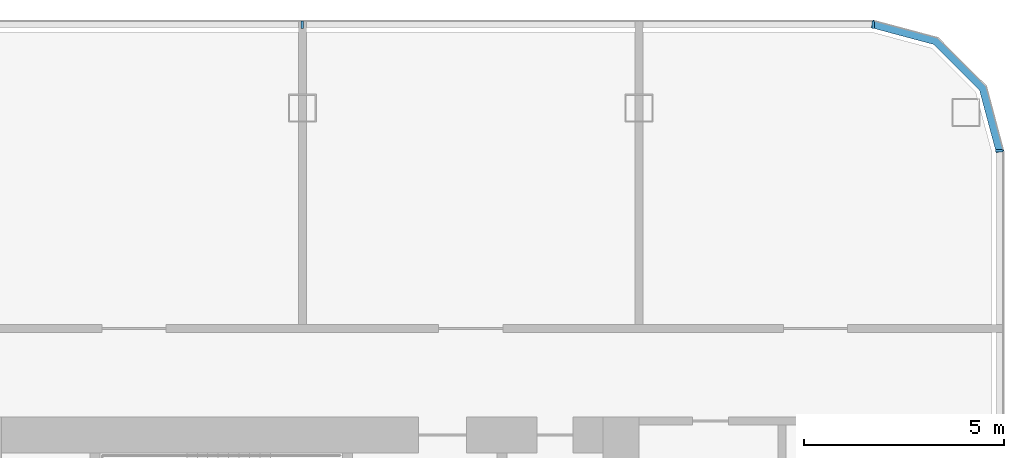
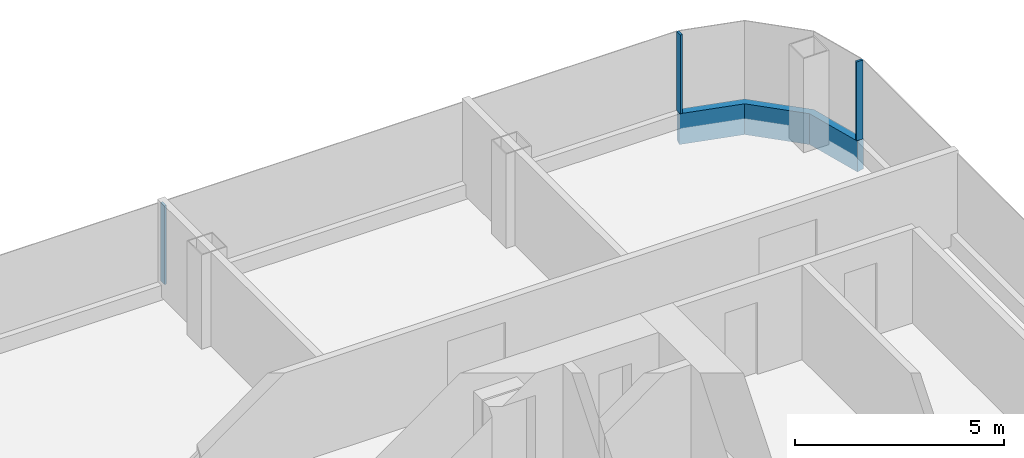
# One storey, part 10 of 26: 4 members, 3 elements without a shape of their own.
"""IFC4 building model written with IfcOpenShell, lengths in metres."""

import ifcopenshell
import ifcopenshell.guid

model = None  # the IFC model being written
_history = None  # IfcOwnerHistory: only IFC2X3 demands one
_inside = {}  # id of a spatial element -> (the spatial element, [elements in it])
_under = {}  # id of a project, library or spatial element -> (it, [spatial elements below it])
_declared = {}  # id of a project -> (the project, [libraries it declares])
_typed = {}  # id of a type object -> (the type object, [elements of that type])
_made_of = {}  # id of a material, layer set ... -> (it, [elements and type objects made of it])


def new_model(schema):
    """Start an empty IFC model of exactly this schema.

    Asked for "IFC4X3", IfcOpenShell would pick the latest addendum, in which some entities
    have other attributes; the version numbers below select the first issue.
    IFC2X3 requires an IfcOwnerHistory on every rooted entity: one is made here for all.
    """
    global model, _history
    if schema == "IFC4X3":
        model = ifcopenshell.file(schema_version=(4, 3, 0, 0))
    else:
        model = ifcopenshell.file(schema=schema)
    _inside.clear()
    _under.clear()
    _declared.clear()
    _typed.clear()
    _made_of.clear()
    _history = None
    if model.schema == "IFC2X3":
        org = make("IfcOrganization", Name="unknown")
        user = make(
            "IfcPersonAndOrganization",
            ThePerson=make("IfcPerson", FamilyName="unknown"),
            TheOrganization=org,
        )
        app = make(
            "IfcApplication",
            ApplicationDeveloper=org,
            Version="unknown",
            ApplicationFullName="unknown",
            ApplicationIdentifier="unknown",
        )
        _history = make(
            "IfcOwnerHistory",
            OwningUser=user,
            OwningApplication=app,
            ChangeAction="ADDED",
            CreationDate=0,
        )
    return model


def make(cls, **values):
    """One entity of the class cls with the attributes given. An attribute that is None is left unset."""
    return model.create_entity(
        cls, **{name: value for name, value in values.items() if value is not None}
    )


def rooted(cls, **values):
    """An entity with a GlobalId (a new one), such as an element, a storey or a relation."""
    return make(cls, GlobalId=ifcopenshell.guid.new(), OwnerHistory=_history, **values)


def si_unit(unit_type, name, prefix=None):
    """IfcSIUnit, for example si_unit("LENGTHUNIT", "METRE", prefix="MILLI")."""
    return make("IfcSIUnit", UnitType=unit_type, Prefix=prefix, Name=name)


def assignment(units):
    """IfcUnitAssignment: the units of a project."""
    return None if units is None else make("IfcUnitAssignment", Units=units)


def point(xyz):
    """IfcCartesianPoint."""
    return None if xyz is None else make("IfcCartesianPoint", Coordinates=xyz)


def direction(xyz):
    """IfcDirection."""
    return None if xyz is None else make("IfcDirection", DirectionRatios=xyz)


def frame(location, z_axis=None, x_axis=None):
    """IfcAxis2Placement3D, a coordinate frame: its origin and axes. An axis left out is left unset."""
    return make(
        "IfcAxis2Placement3D",
        Location=point(location),
        Axis=direction(z_axis),
        RefDirection=direction(x_axis),
    )


def frame_2d(location, x_axis=None):
    """IfcAxis2Placement2D, a coordinate frame in the plane: its origin and x axis."""
    return make(
        "IfcAxis2Placement2D", Location=point(location), RefDirection=direction(x_axis)
    )


def origin():
    """The frame at (0, 0, 0) with its axes left unset."""
    return frame((0.0, 0.0, 0.0))


def origin_2d():
    """The frame at (0, 0) in the plane with its x axis left unset."""
    return frame_2d((0.0, 0.0))


def place(relative_to, where):
    """IfcLocalPlacement: puts the frame where relative to a parent placement (None: the world)."""
    return make(
        "IfcLocalPlacement", PlacementRelTo=relative_to, RelativePlacement=where
    )


def context(
    kind, dimensions, precision=None, world=None, true_north=None, identifier=None
):
    """IfcGeometricRepresentationContext, for example the 3D "Model" context."""
    return make(
        "IfcGeometricRepresentationContext",
        ContextIdentifier=identifier,
        ContextType=kind,
        CoordinateSpaceDimension=dimensions,
        Precision=precision,
        WorldCoordinateSystem=world,
        TrueNorth=true_north,
    )


def subcontext(parent, identifier, kind, view, scale=None):
    """IfcGeometricRepresentationSubContext, for example "Body" below "Model"."""
    return make(
        "IfcGeometricRepresentationSubContext",
        ContextIdentifier=identifier,
        ContextType=kind,
        ParentContext=parent,
        TargetScale=scale,
        TargetView=view,
    )


def project(units=None, contexts=None):
    """IfcProject with its units and contexts."""
    return rooted(
        "IfcProject",
        Name="project",
        RepresentationContexts=contexts,
        UnitsInContext=assignment(units),
    )


def spatial(cls, under=None, at=None, **own):
    """A site, building, storey or space (cls), placed at a placement, below another one or the project."""
    s = rooted(cls, ObjectPlacement=at, **own)
    if under is not None:
        _under.setdefault(under.id(), (under, []))[1].append(s)
    return s


def polyline(points):
    """IfcPolyline through the points."""
    return make("IfcPolyline", Points=[point(p) for p in points])


def profile(cls, at=None, kind="AREA", **sizes):
    """A parametric profile (cls). Its sizes go by their IFC names, for example OverallWidth=200.0."""
    return make(cls, ProfileType=kind, Position=at, **sizes)


def rectangle(**sizes):
    """IfcRectangleProfileDef."""
    return profile("IfcRectangleProfileDef", **sizes)


def outline(outer, holes=None, kind="AREA"):
    """IfcArbitraryClosedProfileDef: a profile drawn as a closed curve; with holes, ...WithVoids."""
    if holes is None:
        return make("IfcArbitraryClosedProfileDef", ProfileType=kind, OuterCurve=outer)
    return make(
        "IfcArbitraryProfileDefWithVoids",
        ProfileType=kind,
        OuterCurve=outer,
        InnerCurves=holes,
    )


def extrude(swept, where, along, depth):
    """IfcExtrudedAreaSolid: the profile swept, set in the frame where, extruded along a direction by depth."""
    return make(
        "IfcExtrudedAreaSolid",
        SweptArea=swept,
        Position=where,
        ExtrudedDirection=direction(along),
        Depth=depth,
    )


def shape(context_of_items, identifier, shape_type, items):
    """IfcShapeRepresentation: the items that make up one representation, for example the "Body"."""
    return make(
        "IfcShapeRepresentation",
        ContextOfItems=context_of_items,
        RepresentationIdentifier=identifier,
        RepresentationType=shape_type,
        Items=items,
    )


def material(Name=None, Category=None):
    """IfcMaterial."""
    return make("IfcMaterial", Name=Name, Category=Category)


def layer(
    of_material, thickness, ventilated=None, Name=None, Category=None, Priority=None
):
    """IfcMaterialLayer: one layer of a wall or slab, of a material (None: an air gap)."""
    return make(
        "IfcMaterialLayer",
        Material=of_material,
        LayerThickness=thickness,
        IsVentilated=ventilated,
        Name=Name,
        Category=Category,
        Priority=Priority,
    )


def layer_set(layers, Name=None):
    """IfcMaterialLayerSet."""
    return make("IfcMaterialLayerSet", MaterialLayers=layers, LayerSetName=Name)


def material_profile(
    of_material, cross_section, Name=None, Category=None, Priority=None
):
    """IfcMaterialProfile: a cross section and its material."""
    return make(
        "IfcMaterialProfile",
        Name=Name,
        Material=of_material,
        Profile=cross_section,
        Priority=Priority,
        Category=Category,
    )


def profile_set(profiles, Name=None, composite=None):
    """IfcMaterialProfileSet."""
    return make(
        "IfcMaterialProfileSet",
        Name=Name,
        MaterialProfiles=profiles,
        CompositeProfile=composite,
    )


def made_of(thing, what):
    """Note that an element or type object is made of a material, layer set ...; save() writes the relation."""
    if what is not None:
        _made_of.setdefault(what.id(), (what, []))[1].append(thing)
    return thing


def type_object(cls, material=None, **own):
    """A type object (cls), such as IfcWallType, which elements share."""
    return made_of(rooted(cls, **own), material)


def element(
    cls,
    number,
    at=None,
    inside=None,
    cuts=None,
    type_object=None,
    material=None,
    context=None,
    identifier="Body",
    shape_type=None,
    held_by="IfcProductDefinitionShape",
    body=None,
    shapes=None,
    **own,
):
    """One element of the class cls, such as IfcWall. Its Tag is "e" and its number.

    at: its placement. inside: the storey or other place that contains it. cuts: it is an
    opening in that element (IfcRelVoidsElement). A single representation is given by context,
    identifier, shape_type and body (its items); several are given by shapes. held_by: the class
    of the entity that holds the representations. save() writes the other relations.
    """
    e = rooted(cls, Tag="e%d" % number, ObjectPlacement=at, **own)
    if body is not None:
        shapes = [shape(context, identifier, shape_type, body)]
    if shapes is not None:
        e.Representation = make(held_by, Representations=shapes)
    if inside is not None:
        _inside.setdefault(inside.id(), (inside, []))[1].append(e)
    if cuts is not None:
        rooted(
            "IfcRelVoidsElement", RelatingBuildingElement=cuts, RelatedOpeningElement=e
        )
    if type_object is not None:
        _typed.setdefault(type_object.id(), (type_object, []))[1].append(e)
    return made_of(e, material)


def aggregate(whole, parts):
    """IfcRelAggregates: a whole, such as a stair, and the parts it consists of."""
    return rooted("IfcRelAggregates", RelatingObject=whole, RelatedObjects=parts)


def save(model, path):
    """Write the relations noted so far, then the file.

    IfcRelAggregates (storeys below a building ...), IfcRelContainedInSpatialStructure (elements
    in a storey), IfcRelDefinesByType, IfcRelAssociatesMaterial and IfcRelDeclares: one each for
    every whole, place, type object, material and project.
    """
    for whole, parts in _under.values():
        aggregate(whole, parts)
    for where, things in _inside.values():
        rooted(
            "IfcRelContainedInSpatialStructure",
            RelatedElements=things,
            RelatingStructure=where,
        )
    for kind, things in _typed.values():
        rooted("IfcRelDefinesByType", RelatedObjects=things, RelatingType=kind)
    for what, things in _made_of.values():
        rooted("IfcRelAssociatesMaterial", RelatedObjects=things, RelatingMaterial=what)
    for by, libraries in _declared.values():
        rooted("IfcRelDeclares", RelatingContext=by, RelatedDefinitions=libraries)
    model.write(path)


model = new_model("IFC4")

# Units and contexts
model_context = context("Model", 3, precision=1e-05, world=origin(), true_north=direction((0.0, 1.0)))
body_context = subcontext(model_context, "Body", "Model", "MODEL_VIEW")
ifc_project = project(units=[si_unit("LENGTHUNIT", "METRE"), si_unit("AREAUNIT", "SQUARE_METRE"), si_unit("VOLUMEUNIT", "CUBIC_METRE"), si_unit("PLANEANGLEUNIT", "RADIAN"), si_unit("MASSUNIT", "GRAM", prefix="KILO")], contexts=[model_context])

# Site, building, storey
site_placement = place(None, origin())
site = spatial("IfcSite", under=ifc_project, at=site_placement, CompositionType="ELEMENT")
building_placement = place(site_placement, origin())
building = spatial("IfcBuilding", under=site, at=building_placement, Name="Hakoniwa Tower and Hamabe Station Hall", CompositionType="ELEMENT")
storey_placement = place(building_placement, frame((0.0, 0.0, 156.60009765625)))
storey = spatial("IfcBuildingStorey", under=building, at=storey_placement, Name="L44", CompositionType="ELEMENT", Elevation=156.60009765625)

# Curtain wall, member
ifc_material_1 = material(Name="Dark low-e laminated glass", Category="glass")
ifc_layer = layer(ifc_material_1, 0.199951171875)
ifc_layer_set = layer_set([ifc_layer], Name="CW-1 UNITISED GUEST")
curtain_wall_type = type_object("IfcCurtainWallType", Name="CW-1 UNITISED GUEST", PredefinedType="NOTDEFINED", material=ifc_layer_set)
curtain_wall_1_placement = place(storey_placement, origin())
curtain_wall_1 = element("IfcCurtainWall", 1, at=curtain_wall_1_placement, inside=storey, type_object=curtain_wall_type, Name="CW-1 curtain wall", PredefinedType="NOTDEFINED")
ifc_material_2 = material(Name="Aluminium 6063-T5 black anodised", Category="aluminium")
ifc_material_profile_1 = material_profile(ifc_material_2, rectangle(XDim=0.199951171875, YDim=0.89990234375, at=origin_2d()), Name="CW SLAB-EDGE BAND 900X200")
ifc_profile_set_1 = profile_set([ifc_material_profile_1], Name="Aluminium 6063-T5 black anodised")
member_type_1 = type_object("IfcMemberType", Name="CW SLAB-EDGE BAND 900X200", PredefinedType="USERDEFINED", material=ifc_profile_set_1)
member_1_placement = place(storey_placement, frame((0.0, 0.0, -0.550048828125)))
member_1 = element("IfcMember", 2, at=member_1_placement, type_object=member_type_1, Name="CW-1 transom", ObjectType="TRANSOM", PredefinedType="USERDEFINED", context=body_context, shape_type="SweptSolid", body=[
    extrude(outline(polyline([(42.699951171875, 15.03955078125), (42.26708984375, 16.6552734375), (41.05517578125, 17.866943359375), (39.439453125, 18.300048828125), (39.3876953125, 18.10693359375), (40.95166015625, 17.687744140625), (42.087646484375, 16.5517578125), (42.5068359375, 14.98779296875), (42.699951171875, 15.03955078125)])), origin(), (0.0, 0.0, 1.0), 0.89990234375),
])
aggregate(curtain_wall_1, [member_1])

curtain_wall_2_placement = place(storey_placement, origin())
curtain_wall_2 = element("IfcCurtainWall", 3, at=curtain_wall_2_placement, inside=storey, type_object=curtain_wall_type, Name="CW-1 curtain wall", PredefinedType="NOTDEFINED")
ifc_material_3 = material(Name="Aluminium 6063-T5 black anodised", Category="aluminium")
ifc_material_profile_2 = material_profile(ifc_material_3, rectangle(XDim=0.06005859375, YDim=0.179931640625, at=origin_2d()), Name="CW-1 MULLION 60X180")
ifc_profile_set_2 = profile_set([ifc_material_profile_2], Name="Aluminium 6063-T5 black anodised")
member_type_2 = type_object("IfcMemberType", Name="CW-1 MULLION 60X180", PredefinedType="MULLION", material=ifc_profile_set_2)
member_2_placement = place(storey_placement, frame((42.58203125, 15.03955078125, 0.349853515625), z_axis=(0.0, 0.0, 1.0), x_axis=(0.0, 1.0, 0.0)))
member_2 = element("IfcMember", 4, at=member_2_placement, type_object=member_type_2, Name="CW-1 mullion", PredefinedType="MULLION", context=body_context, shape_type="SweptSolid", body=[
    extrude(rectangle(XDim=0.06005859375, YDim=0.179931640625, at=origin_2d()), origin(), (0.0, 0.0, 1.0), 2.300048828125),
])
aggregate(curtain_wall_2, [member_2])

# Curtain wall, members
curtain_wall_3_placement = place(storey_placement, origin())
curtain_wall_3 = element("IfcCurtainWall", 5, at=curtain_wall_3_placement, inside=storey, type_object=curtain_wall_type, Name="CW-1 curtain wall", PredefinedType="NOTDEFINED")
member_3_placement = place(storey_placement, frame((39.439453125, 18.181884765625, 0.349853515625), z_axis=(0.0, 0.0, 1.0), x_axis=(-1.0, 0.0, 0.0)))
member_3 = element("IfcMember", 6, at=member_3_placement, type_object=member_type_2, Name="CW-1 mullion", PredefinedType="MULLION", context=body_context, shape_type="SweptSolid", body=[
    extrude(rectangle(XDim=0.06005859375, YDim=0.179931640625, at=origin_2d()), origin(), (0.0, 0.0, 1.0), 2.300048828125),
])
member_4_placement = place(storey_placement, frame((25.199951171875, 18.181884765625, 0.349853515625), z_axis=(0.0, 0.0, 1.0), x_axis=(-1.0, 0.0, 0.0)))
member_4 = element("IfcMember", 7, at=member_4_placement, type_object=member_type_2, Name="CW-1 mullion", PredefinedType="MULLION", context=body_context, shape_type="SweptSolid", body=[
    extrude(rectangle(XDim=0.06005859375, YDim=0.179931640625, at=origin_2d()), origin(), (0.0, 0.0, 1.0), 2.300048828125),
])
aggregate(curtain_wall_3, [member_3, member_4])

save(model, "model.ifc")
